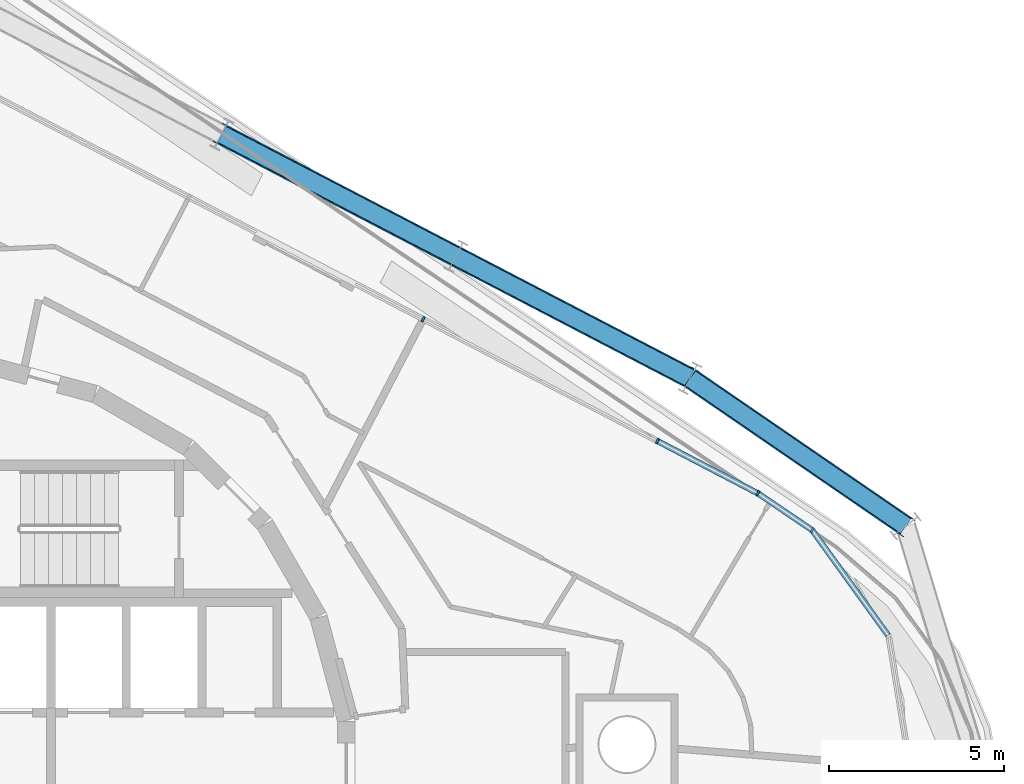
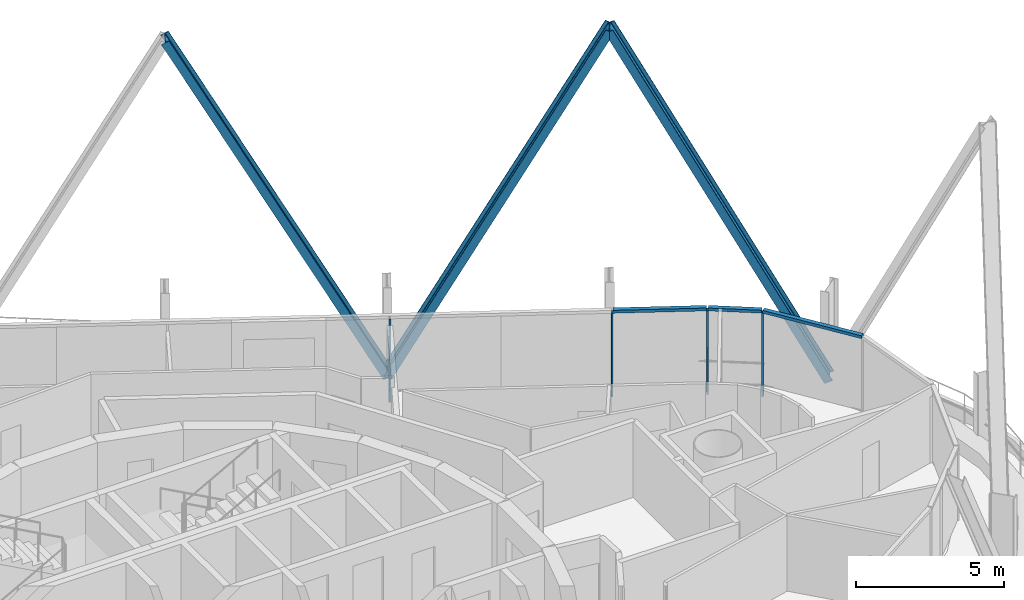
# One storey, part 9 of 20: 10 members, 2 elements without a shape of their own.
"""IFC4 building model written with IfcOpenShell, lengths in metres."""

import ifcopenshell
import ifcopenshell.guid

model = None  # the IFC model being written
_history = None  # IfcOwnerHistory: only IFC2X3 demands one
_inside = {}  # id of a spatial element -> (the spatial element, [elements in it])
_under = {}  # id of a project, library or spatial element -> (it, [spatial elements below it])
_declared = {}  # id of a project -> (the project, [libraries it declares])
_typed = {}  # id of a type object -> (the type object, [elements of that type])
_made_of = {}  # id of a material, layer set ... -> (it, [elements and type objects made of it])


def new_model(schema):
    """Start an empty IFC model of exactly this schema.

    Asked for "IFC4X3", IfcOpenShell would pick the latest addendum, in which some entities
    have other attributes; the version numbers below select the first issue.
    IFC2X3 requires an IfcOwnerHistory on every rooted entity: one is made here for all.
    """
    global model, _history
    if schema == "IFC4X3":
        model = ifcopenshell.file(schema_version=(4, 3, 0, 0))
    else:
        model = ifcopenshell.file(schema=schema)
    _inside.clear()
    _under.clear()
    _declared.clear()
    _typed.clear()
    _made_of.clear()
    _history = None
    if model.schema == "IFC2X3":
        org = make("IfcOrganization", Name="unknown")
        user = make(
            "IfcPersonAndOrganization",
            ThePerson=make("IfcPerson", FamilyName="unknown"),
            TheOrganization=org,
        )
        app = make(
            "IfcApplication",
            ApplicationDeveloper=org,
            Version="unknown",
            ApplicationFullName="unknown",
            ApplicationIdentifier="unknown",
        )
        _history = make(
            "IfcOwnerHistory",
            OwningUser=user,
            OwningApplication=app,
            ChangeAction="ADDED",
            CreationDate=0,
        )
    return model


def make(cls, **values):
    """One entity of the class cls with the attributes given. An attribute that is None is left unset."""
    return model.create_entity(
        cls, **{name: value for name, value in values.items() if value is not None}
    )


def rooted(cls, **values):
    """An entity with a GlobalId (a new one), such as an element, a storey or a relation."""
    return make(cls, GlobalId=ifcopenshell.guid.new(), OwnerHistory=_history, **values)


def si_unit(unit_type, name, prefix=None):
    """IfcSIUnit, for example si_unit("LENGTHUNIT", "METRE", prefix="MILLI")."""
    return make("IfcSIUnit", UnitType=unit_type, Prefix=prefix, Name=name)


def assignment(units):
    """IfcUnitAssignment: the units of a project."""
    return None if units is None else make("IfcUnitAssignment", Units=units)


def point(xyz):
    """IfcCartesianPoint."""
    return None if xyz is None else make("IfcCartesianPoint", Coordinates=xyz)


def direction(xyz):
    """IfcDirection."""
    return None if xyz is None else make("IfcDirection", DirectionRatios=xyz)


def frame(location, z_axis=None, x_axis=None):
    """IfcAxis2Placement3D, a coordinate frame: its origin and axes. An axis left out is left unset."""
    return make(
        "IfcAxis2Placement3D",
        Location=point(location),
        Axis=direction(z_axis),
        RefDirection=direction(x_axis),
    )


def frame_2d(location, x_axis=None):
    """IfcAxis2Placement2D, a coordinate frame in the plane: its origin and x axis."""
    return make(
        "IfcAxis2Placement2D", Location=point(location), RefDirection=direction(x_axis)
    )


def origin():
    """The frame at (0, 0, 0) with its axes left unset."""
    return frame((0.0, 0.0, 0.0))


def origin_2d():
    """The frame at (0, 0) in the plane with its x axis left unset."""
    return frame_2d((0.0, 0.0))


def place(relative_to, where):
    """IfcLocalPlacement: puts the frame where relative to a parent placement (None: the world)."""
    return make(
        "IfcLocalPlacement", PlacementRelTo=relative_to, RelativePlacement=where
    )


def context(
    kind, dimensions, precision=None, world=None, true_north=None, identifier=None
):
    """IfcGeometricRepresentationContext, for example the 3D "Model" context."""
    return make(
        "IfcGeometricRepresentationContext",
        ContextIdentifier=identifier,
        ContextType=kind,
        CoordinateSpaceDimension=dimensions,
        Precision=precision,
        WorldCoordinateSystem=world,
        TrueNorth=true_north,
    )


def subcontext(parent, identifier, kind, view, scale=None):
    """IfcGeometricRepresentationSubContext, for example "Body" below "Model"."""
    return make(
        "IfcGeometricRepresentationSubContext",
        ContextIdentifier=identifier,
        ContextType=kind,
        ParentContext=parent,
        TargetScale=scale,
        TargetView=view,
    )


def project(units=None, contexts=None):
    """IfcProject with its units and contexts."""
    return rooted(
        "IfcProject",
        Name="project",
        RepresentationContexts=contexts,
        UnitsInContext=assignment(units),
    )


def spatial(cls, under=None, at=None, **own):
    """A site, building, storey or space (cls), placed at a placement, below another one or the project."""
    s = rooted(cls, ObjectPlacement=at, **own)
    if under is not None:
        _under.setdefault(under.id(), (under, []))[1].append(s)
    return s


def profile(cls, at=None, kind="AREA", **sizes):
    """A parametric profile (cls). Its sizes go by their IFC names, for example OverallWidth=200.0."""
    return make(cls, ProfileType=kind, Position=at, **sizes)


def rectangle(**sizes):
    """IfcRectangleProfileDef."""
    return profile("IfcRectangleProfileDef", **sizes)


def i_section(**sizes):
    """IfcIShapeProfileDef."""
    return profile("IfcIShapeProfileDef", **sizes)


def extrude(swept, where, along, depth):
    """IfcExtrudedAreaSolid: the profile swept, set in the frame where, extruded along a direction by depth."""
    return make(
        "IfcExtrudedAreaSolid",
        SweptArea=swept,
        Position=where,
        ExtrudedDirection=direction(along),
        Depth=depth,
    )


def shape(context_of_items, identifier, shape_type, items):
    """IfcShapeRepresentation: the items that make up one representation, for example the "Body"."""
    return make(
        "IfcShapeRepresentation",
        ContextOfItems=context_of_items,
        RepresentationIdentifier=identifier,
        RepresentationType=shape_type,
        Items=items,
    )


def material(Name=None, Category=None):
    """IfcMaterial."""
    return make("IfcMaterial", Name=Name, Category=Category)


def layer(
    of_material, thickness, ventilated=None, Name=None, Category=None, Priority=None
):
    """IfcMaterialLayer: one layer of a wall or slab, of a material (None: an air gap)."""
    return make(
        "IfcMaterialLayer",
        Material=of_material,
        LayerThickness=thickness,
        IsVentilated=ventilated,
        Name=Name,
        Category=Category,
        Priority=Priority,
    )


def layer_set(layers, Name=None):
    """IfcMaterialLayerSet."""
    return make("IfcMaterialLayerSet", MaterialLayers=layers, LayerSetName=Name)


def material_profile(
    of_material, cross_section, Name=None, Category=None, Priority=None
):
    """IfcMaterialProfile: a cross section and its material."""
    return make(
        "IfcMaterialProfile",
        Name=Name,
        Material=of_material,
        Profile=cross_section,
        Priority=Priority,
        Category=Category,
    )


def profile_set(profiles, Name=None, composite=None):
    """IfcMaterialProfileSet."""
    return make(
        "IfcMaterialProfileSet",
        Name=Name,
        MaterialProfiles=profiles,
        CompositeProfile=composite,
    )


def made_of(thing, what):
    """Note that an element or type object is made of a material, layer set ...; save() writes the relation."""
    if what is not None:
        _made_of.setdefault(what.id(), (what, []))[1].append(thing)
    return thing


def type_object(cls, material=None, **own):
    """A type object (cls), such as IfcWallType, which elements share."""
    return made_of(rooted(cls, **own), material)


def element(
    cls,
    number,
    at=None,
    inside=None,
    cuts=None,
    type_object=None,
    material=None,
    context=None,
    identifier="Body",
    shape_type=None,
    held_by="IfcProductDefinitionShape",
    body=None,
    shapes=None,
    **own,
):
    """One element of the class cls, such as IfcWall. Its Tag is "e" and its number.

    at: its placement. inside: the storey or other place that contains it. cuts: it is an
    opening in that element (IfcRelVoidsElement). A single representation is given by context,
    identifier, shape_type and body (its items); several are given by shapes. held_by: the class
    of the entity that holds the representations. save() writes the other relations.
    """
    e = rooted(cls, Tag="e%d" % number, ObjectPlacement=at, **own)
    if body is not None:
        shapes = [shape(context, identifier, shape_type, body)]
    if shapes is not None:
        e.Representation = make(held_by, Representations=shapes)
    if inside is not None:
        _inside.setdefault(inside.id(), (inside, []))[1].append(e)
    if cuts is not None:
        rooted(
            "IfcRelVoidsElement", RelatingBuildingElement=cuts, RelatedOpeningElement=e
        )
    if type_object is not None:
        _typed.setdefault(type_object.id(), (type_object, []))[1].append(e)
    return made_of(e, material)


def aggregate(whole, parts):
    """IfcRelAggregates: a whole, such as a stair, and the parts it consists of."""
    return rooted("IfcRelAggregates", RelatingObject=whole, RelatedObjects=parts)


def save(model, path):
    """Write the relations noted so far, then the file.

    IfcRelAggregates (storeys below a building ...), IfcRelContainedInSpatialStructure (elements
    in a storey), IfcRelDefinesByType, IfcRelAssociatesMaterial and IfcRelDeclares: one each for
    every whole, place, type object, material and project.
    """
    for whole, parts in _under.values():
        aggregate(whole, parts)
    for where, things in _inside.values():
        rooted(
            "IfcRelContainedInSpatialStructure",
            RelatedElements=things,
            RelatingStructure=where,
        )
    for kind, things in _typed.values():
        rooted("IfcRelDefinesByType", RelatedObjects=things, RelatingType=kind)
    for what, things in _made_of.values():
        rooted("IfcRelAssociatesMaterial", RelatedObjects=things, RelatingMaterial=what)
    for by, libraries in _declared.values():
        rooted("IfcRelDeclares", RelatingContext=by, RelatedDefinitions=libraries)
    model.write(path)


model = new_model("IFC4")

# Units and contexts
model_context = context("Model", 3, precision=1e-05, world=origin(), true_north=direction((0.0, 1.0)))
body_context = subcontext(model_context, "Body", "Model", "MODEL_VIEW")
ifc_project = project(units=[si_unit("LENGTHUNIT", "METRE"), si_unit("AREAUNIT", "SQUARE_METRE"), si_unit("VOLUMEUNIT", "CUBIC_METRE"), si_unit("PLANEANGLEUNIT", "RADIAN"), si_unit("MASSUNIT", "GRAM", prefix="KILO")], contexts=[model_context])

# Site, building, storey
site_placement = place(None, origin())
site = spatial("IfcSite", under=ifc_project, at=site_placement, CompositionType="ELEMENT")
building_placement = place(site_placement, origin())
building = spatial("IfcBuilding", under=site, at=building_placement, Name="Spindle Arch Residences", CompositionType="ELEMENT")
storey_placement = place(building_placement, frame((0.0, 0.0, 226.699951171875)))
storey = spatial("IfcBuildingStorey", under=building, at=storey_placement, Name="L57", CompositionType="ELEMENT", Elevation=226.699951171875)

# Curtain wall, members
ifc_material_1 = material(Name="Aluminium bronze unitised frame with tinted glass", Category="aluminium")
ifc_layer_1 = layer(ifc_material_1, 0.159912109375)
ifc_layer_set_1 = layer_set([ifc_layer_1], Name="CW-D corner wall on the fillet arcs")
curtain_wall_type_1 = type_object("IfcCurtainWallType", Name="CW-D corner wall on the fillet arcs", PredefinedType="NOTDEFINED", material=ifc_layer_set_1)
curtain_wall_1_placement = place(storey_placement, origin())
curtain_wall_1 = element("IfcCurtainWall", 1, at=curtain_wall_1_placement, inside=storey, type_object=curtain_wall_type_1, Name="CW-D L57 run 1", PredefinedType="NOTDEFINED")
ifc_material_2 = material(Name="Aluminium bronze anodised mullion", Category="aluminium")
ifc_material_profile_1 = material_profile(ifc_material_2, rectangle(XDim=0.159912109375, YDim=0.06005859375, at=origin_2d()), Name="MU 60x160")
ifc_profile_set_1 = profile_set([ifc_material_profile_1], Name="Aluminium bronze anodised mullion")
member_type_1 = type_object("IfcMemberType", Name="Bronze mullion 60x160", PredefinedType="MULLION", material=ifc_profile_set_1)
member_1_placement = place(storey_placement, frame((24.93310546875, 6.971435546875, -0.449951171875), z_axis=(0.0, 0.0, 1.0), x_axis=(-0.561602105546, -0.827407441981, 0.0)))
member_1 = element("IfcMember", 2, at=member_1_placement, type_object=member_type_1, Name="CW-D mullion 05", PredefinedType="MULLION", context=body_context, shape_type="SweptSolid", body=[
    extrude(rectangle(XDim=0.159912109375, YDim=0.06005859375, at=origin_2d()), origin(), (0.0, 0.0, 1.0), 3.449951171875),
])
member_2_placement = place(storey_placement, frame((23.380859375, 8.02490234375, -0.449951171875), z_axis=(0.0, 0.0, 1.0), x_axis=(-0.461748613235, -0.887010833178, 0.0)))
member_2 = element("IfcMember", 3, at=member_2_placement, type_object=member_type_1, Name="CW-D mullion 06", PredefinedType="MULLION", context=body_context, shape_type="SweptSolid", body=[
    extrude(rectangle(XDim=0.159912109375, YDim=0.06005859375, at=origin_2d()), origin(), (0.0, 0.0, 1.0), 3.449951171875),
])

ifc_material_3 = material(Name="Aluminium bronze unitised frame with tinted glass", Category="aluminium")
ifc_layer_2 = layer(ifc_material_3, 0.159912109375)
ifc_layer_set_2 = layer_set([ifc_layer_2], Name="CW-C typical residential unitised wall")
curtain_wall_type_2 = type_object("IfcCurtainWallType", Name="CW-C typical residential unitised wall", PredefinedType="NOTDEFINED", material=ifc_layer_set_2)
curtain_wall_2_placement = place(storey_placement, origin())
curtain_wall_2 = element("IfcCurtainWall", 4, at=curtain_wall_2_placement, inside=storey, type_object=curtain_wall_type_2, Name="CW-C L57 run 2", PredefinedType="NOTDEFINED")
member_3_placement = place(storey_placement, frame((20.517333984375, 9.515625, -0.449951171875), z_axis=(0.0, 0.0, 1.0), x_axis=(-0.461748613235, -0.887010833178, 0.0)))
member_3 = element("IfcMember", 5, at=member_3_placement, type_object=member_type_1, Name="CW-C mullion 05", PredefinedType="MULLION", context=body_context, shape_type="SweptSolid", body=[
    extrude(rectangle(XDim=0.159912109375, YDim=0.06005859375, at=origin_2d()), origin(), (0.0, 0.0, 1.0), 3.449951171875),
])
member_4_placement = place(storey_placement, frame((13.837890625, 12.99267578125, -0.449951171875), z_axis=(0.0, 0.0, 1.0), x_axis=(-0.461748613235, -0.887010833178, 0.0)))
member_4 = element("IfcMember", 6, at=member_4_placement, type_object=member_type_1, Name="CW-C mullion 06", PredefinedType="MULLION", context=body_context, shape_type="SweptSolid", body=[
    extrude(rectangle(XDim=0.159912109375, YDim=0.06005859375, at=origin_2d()), origin(), (0.0, 0.0, 1.0), 3.449951171875),
])
aggregate(curtain_wall_2, [member_3, member_4])

# Member
ifc_material_4 = material(Name="Aluminium bronze anodised transom", Category="aluminium")
ifc_material_profile_2 = material_profile(ifc_material_4, rectangle(XDim=0.159912109375, YDim=0.1201171875, at=origin_2d()), Name="TR 120x160")
ifc_profile_set_2 = profile_set([ifc_material_profile_2], Name="Aluminium bronze anodised transom")
member_type_2 = type_object("IfcMemberType", Name="Bronze transom 120x160", PredefinedType="USERDEFINED", material=ifc_profile_set_2)
member_5_placement = place(storey_placement, frame((27.097412109375, 3.974365234375, 3.06005859375), z_axis=(-0.585456519469, 0.810703807695, 0.0), x_axis=(-0.810703807695, -0.585456519469, 0.0)))
member_5 = element("IfcMember", 7, at=member_5_placement, type_object=member_type_2, Name="CW-D transom 04", ObjectType="TRANSOM", PredefinedType="USERDEFINED", context=body_context, shape_type="SweptSolid", body=[
    extrude(rectangle(XDim=0.159912109375, YDim=0.1201171875, at=origin_2d()), origin(), (0.0, 0.0, 1.0), 3.666748046875),
])

member_6_placement = place(storey_placement, frame((24.908447265625, 6.98828125, 3.06005859375), z_axis=(-0.827451234698, 0.561537580396, 0.0), x_axis=(-0.561537580396, -0.827451234698, 0.0)))
member_6 = element("IfcMember", 8, at=member_6_placement, type_object=member_type_2, Name="CW-D transom 05", ObjectType="TRANSOM", PredefinedType="USERDEFINED", context=body_context, shape_type="SweptSolid", body=[
    extrude(rectangle(XDim=0.159912109375, YDim=0.1201171875, at=origin_2d()), origin(), (0.0, 0.0, 1.0), 1.816162109375),
])

member_7_placement = place(storey_placement, frame((23.354248046875, 8.038818359375, 3.06005859375), z_axis=(-0.886987077292, 0.461794245002, 0.0), x_axis=(-0.461794245002, -0.886987077292, 0.0)))
member_7 = element("IfcMember", 9, at=member_7_placement, type_object=member_type_2, Name="CW-D transom 06", ObjectType="TRANSOM", PredefinedType="USERDEFINED", context=body_context, shape_type="SweptSolid", body=[
    extrude(rectangle(XDim=0.159912109375, YDim=0.1201171875, at=origin_2d()), origin(), (0.0, 0.0, 1.0), 3.16845703125),
])

aggregate(curtain_wall_1, [member_5, member_1, member_6, member_2, member_7])

# Members
ifc_material_5 = material(Name="Steel S460ML, intumescent coating R 240", Category="steel")
ifc_material_profile_3 = material_profile(ifc_material_5, i_section(OverallWidth=0.300048828125, OverallDepth=0.60009765625, WebThickness=0.015380859375, FlangeThickness=0.030029296875, FilletRadius=0.027099609375, at=origin_2d()), Name="HEB 600")
ifc_profile_set_3 = profile_set([ifc_material_profile_3], Name="Steel S460ML, intumescent coating R 240")
member_type_3 = type_object("IfcMemberType", Name="Diagrid diagonal HEB 600", PredefinedType="BRACE", material=ifc_profile_set_3)
member_8_placement = place(storey_placement, frame((27.598388671875, 7.089599609375, -0.699951171875), z_axis=(-0.386120506412, 0.264890565013, 0.883597161095), x_axis=(0.728620488443, -0.499856106211, 0.468247858409)))
element("IfcMember", 10, at=member_8_placement, inside=storey, type_object=member_type_3, Name="Diagrid diagonal 6.1.5", PredefinedType="BRACE", context=body_context, shape_type="SweptSolid", body=[
    extrude(i_section(OverallWidth=0.300048828125, OverallDepth=0.60009765625, WebThickness=0.015380859375, FlangeThickness=0.030029296875, FilletRadius=0.027099609375, at=origin_2d()), origin(), (0.0, 0.0, 1.0), 15.923583984375),
])
member_9_placement = place(storey_placement, frame((14.770751953125, 14.784423828125, -0.699951171875), z_axis=(0.418541289635, -0.217868503023, 0.881678231704), x_axis=(-0.782066026754, 0.407098555706, 0.471851137266)))
element("IfcMember", 11, at=member_9_placement, inside=storey, type_object=member_type_3, Name="Diagrid diagonal 6.1.6", PredefinedType="BRACE", context=body_context, shape_type="SweptSolid", body=[
    extrude(i_section(OverallWidth=0.300048828125, OverallDepth=0.60009765625, WebThickness=0.015380859375, FlangeThickness=0.030029296875, FilletRadius=0.027099609375, at=origin_2d()), origin(), (0.0, 0.0, 1.0), 15.958251953125),
])
member_10_placement = place(storey_placement, frame((14.770751953125, 14.784423828125, -0.699951171875), z_axis=(-0.418552513114, 0.217881680316, 0.881669647401), x_axis=(0.782052799056, -0.407105375348, 0.471867177128)))
element("IfcMember", 12, at=member_10_placement, inside=storey, type_object=member_type_3, Name="Diagrid diagonal 6.1.7", PredefinedType="BRACE", context=body_context, shape_type="SweptSolid", body=[
    extrude(i_section(OverallWidth=0.300048828125, OverallDepth=0.60009765625, WebThickness=0.015380859375, FlangeThickness=0.030029296875, FilletRadius=0.027099609375, at=origin_2d()), origin(), (0.0, 0.0, 1.0), 15.95849609375),
])

save(model, "model.ifc")
